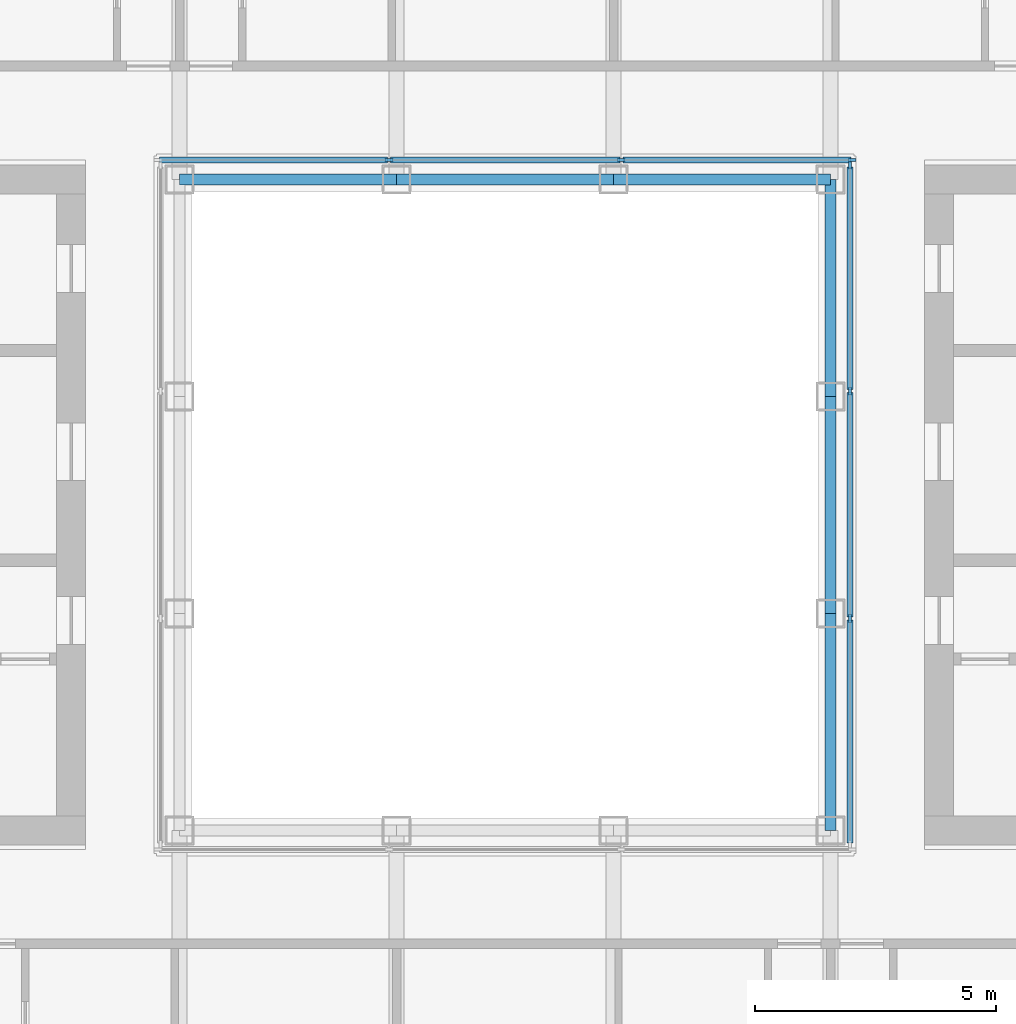
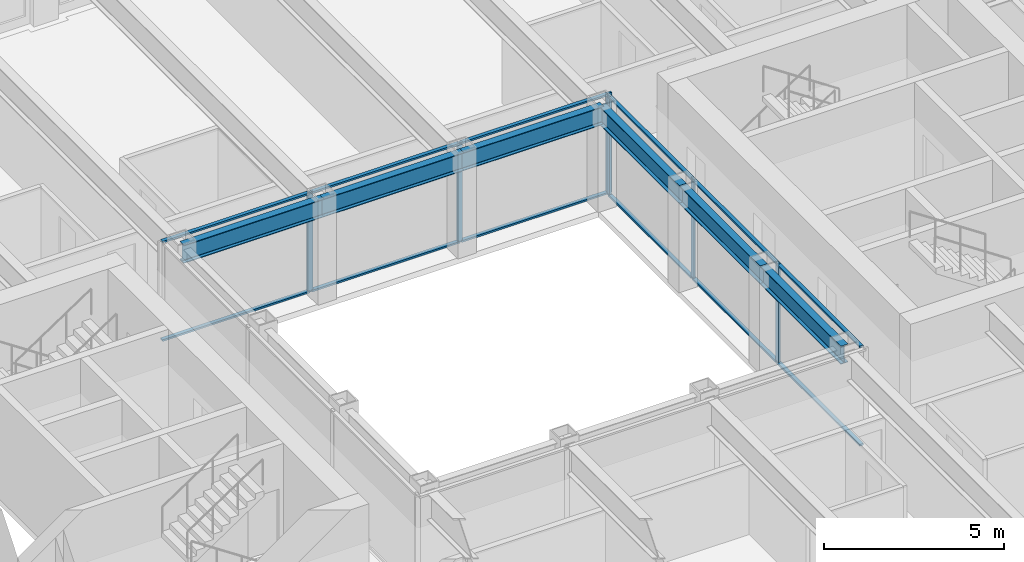
# One storey, part 5 of 17: 18 members, 6 beams, 2 elements without a shape of their own.
"""IFC4 building model written with IfcOpenShell, lengths in metres."""

from ifc_helpers import new_model, si_unit, direction, frame, origin, origin_2d, place, context, subcontext, project, spatial, rectangle, i_section, extrude, material, material_profile, profile_set, type_object, element, aggregate, save


model = new_model("IFC4")

# Units and contexts
model_context = context("Model", 3, precision=1e-05, world=origin(), true_north=direction((0.0, 1.0)))
body_context = subcontext(model_context, "Body", "Model", "MODEL_VIEW")
ifc_project = project(units=[si_unit("LENGTHUNIT", "METRE"), si_unit("AREAUNIT", "SQUARE_METRE"), si_unit("VOLUMEUNIT", "CUBIC_METRE"), si_unit("PLANEANGLEUNIT", "RADIAN"), si_unit("MASSUNIT", "GRAM", prefix="KILO")], contexts=[model_context])

# Site, building, storey
site_placement = place(None, origin())
site = spatial("IfcSite", under=ifc_project, at=site_placement, CompositionType="ELEMENT")
building_placement = place(site_placement, origin())
building = spatial("IfcBuilding", under=site, at=building_placement, Name="Msasa Ring Tower", CompositionType="ELEMENT")
storey_placement = place(building_placement, frame((0.0, 0.0, 136.39990234375)))
storey = spatial("IfcBuildingStorey", under=building, at=storey_placement, Name="L35", CompositionType="ELEMENT", Elevation=136.39990234375)

# Curtain wall, members
ifc_material_1 = material(Name="Aluminium curtain wall with clear glass", Category="aluminium")
curtain_wall_type = type_object("IfcCurtainWallType", Name="CW-W LIGHT WELL CURTAIN WALL", PredefinedType="NOTDEFINED", material=ifc_material_1)
curtain_wall_1_placement = place(storey_placement, origin())
curtain_wall_1 = element("IfcCurtainWall", 1, at=curtain_wall_1_placement, inside=storey, type_object=curtain_wall_type, Name="Light well curtain wall N L35", PredefinedType="NOTDEFINED")
ifc_material_2 = material(Name="Aluminium mullion", Category="aluminium")
ifc_material_profile_1 = material_profile(ifc_material_2, rectangle(XDim=0.06005859375, YDim=0.159912109375, at=origin_2d()), Name="AL 60x160")
ifc_profile_set_1 = profile_set([ifc_material_profile_1], Name="Aluminium mullion")
member_type_1 = type_object("IfcMemberType", Name="CW-W MULLION 60x160", PredefinedType="MULLION", material=ifc_profile_set_1)
member_1_placement = place(storey_placement, frame((-2.409912109375, 7.14990234375, 0.0), z_axis=(0.0, 0.0, 1.0), x_axis=(0.0, 1.0, 0.0)))
member_1 = element("IfcMember", 2, at=member_1_placement, type_object=member_type_1, Name="CW-W mullion 2", PredefinedType="MULLION", context=body_context, shape_type="SweptSolid", body=[
    extrude(rectangle(XDim=0.06005859375, YDim=0.159912109375, at=origin_2d()), origin(), (0.0, 0.0, 1.0), 3.400146484375),
])
member_2_placement = place(storey_placement, frame((2.409912109375, 7.14990234375, 0.0), z_axis=(0.0, 0.0, 1.0), x_axis=(0.0, 1.0, 0.0)))
member_2 = element("IfcMember", 3, at=member_2_placement, type_object=member_type_1, Name="CW-W mullion 3", PredefinedType="MULLION", context=body_context, shape_type="SweptSolid", body=[
    extrude(rectangle(XDim=0.06005859375, YDim=0.159912109375, at=origin_2d()), origin(), (0.0, 0.0, 1.0), 3.400146484375),
])
member_3_placement = place(storey_placement, frame((7.199951171875, 7.14990234375, 0.0), z_axis=(0.0, 0.0, 1.0), x_axis=(0.0, 1.0, 0.0)))
member_3 = element("IfcMember", 4, at=member_3_placement, type_object=member_type_1, Name="CW-W mullion 4", PredefinedType="MULLION", context=body_context, shape_type="SweptSolid", body=[
    extrude(rectangle(XDim=0.06005859375, YDim=0.159912109375, at=origin_2d()), origin(), (0.0, 0.0, 1.0), 3.400146484375),
])

curtain_wall_2_placement = place(storey_placement, origin())
curtain_wall_2 = element("IfcCurtainWall", 5, at=curtain_wall_2_placement, inside=storey, type_object=curtain_wall_type, Name="Light well curtain wall E L35", PredefinedType="NOTDEFINED")
member_4_placement = place(storey_placement, frame((7.14990234375, -2.356689453125, 0.0), z_axis=(0.0, 0.0, 1.0), x_axis=(-1.0, 0.0, 0.0)))
member_4 = element("IfcMember", 6, at=member_4_placement, type_object=member_type_1, Name="CW-W mullion 2", PredefinedType="MULLION", context=body_context, shape_type="SweptSolid", body=[
    extrude(rectangle(XDim=0.06005859375, YDim=0.159912109375, at=origin_2d()), origin(), (0.0, 0.0, 1.0), 3.400146484375),
])
member_5_placement = place(storey_placement, frame((7.14990234375, 2.356689453125, 0.0), z_axis=(0.0, 0.0, 1.0), x_axis=(-1.0, 0.0, 0.0)))
member_5 = element("IfcMember", 7, at=member_5_placement, type_object=member_type_1, Name="CW-W mullion 3", PredefinedType="MULLION", context=body_context, shape_type="SweptSolid", body=[
    extrude(rectangle(XDim=0.06005859375, YDim=0.159912109375, at=origin_2d()), origin(), (0.0, 0.0, 1.0), 3.400146484375),
])
member_6_placement = place(storey_placement, frame((7.14990234375, 7.0400390625, 0.0), z_axis=(0.0, 0.0, 1.0), x_axis=(-1.0, 0.0, 0.0)))
member_6 = element("IfcMember", 8, at=member_6_placement, type_object=member_type_1, Name="CW-W mullion 4", PredefinedType="MULLION", context=body_context, shape_type="SweptSolid", body=[
    extrude(rectangle(XDim=0.06005859375, YDim=0.159912109375, at=origin_2d()), origin(), (0.0, 0.0, 1.0), 3.400146484375),
])

# Member
ifc_material_3 = material(Name="Aluminium transom", Category="aluminium")
ifc_material_profile_2 = material_profile(ifc_material_3, rectangle(XDim=0.1201171875, YDim=0.06005859375, at=origin_2d()), Name="AL 60x120")
ifc_profile_set_2 = profile_set([ifc_material_profile_2], Name="Aluminium transom")
member_type_2 = type_object("IfcMemberType", Name="CW-W TRANSOM 60x120", PredefinedType="USERDEFINED", material=ifc_profile_set_2)
member_7_placement = place(storey_placement, frame((-7.169921875, 7.14990234375, 0.030029296875), z_axis=(1.0, 0.0, 0.0), x_axis=(0.0, 1.0, 0.0)))
member_7 = element("IfcMember", 9, at=member_7_placement, type_object=member_type_2, Name="CW-W transom 1.1", ObjectType="TRANSOM", PredefinedType="USERDEFINED", context=body_context, shape_type="SweptSolid", body=[
    extrude(rectangle(XDim=0.1201171875, YDim=0.06005859375, at=origin_2d()), origin(), (0.0, 0.0, 1.0), 4.72998046875),
])

member_8_placement = place(storey_placement, frame((-7.169921875, 7.14990234375, 3.3701171875), z_axis=(1.0, 0.0, 0.0), x_axis=(0.0, 1.0, 0.0)))
member_8 = element("IfcMember", 10, at=member_8_placement, type_object=member_type_2, Name="CW-W transom 1.2", ObjectType="TRANSOM", PredefinedType="USERDEFINED", context=body_context, shape_type="SweptSolid", body=[
    extrude(rectangle(XDim=0.1201171875, YDim=0.06005859375, at=origin_2d()), origin(), (0.0, 0.0, 1.0), 4.72998046875),
])

member_9_placement = place(storey_placement, frame((-2.3798828125, 7.14990234375, 0.030029296875), z_axis=(1.0, 0.0, 0.0), x_axis=(0.0, 1.0, 0.0)))
member_9 = element("IfcMember", 11, at=member_9_placement, type_object=member_type_2, Name="CW-W transom 2.1", ObjectType="TRANSOM", PredefinedType="USERDEFINED", context=body_context, shape_type="SweptSolid", body=[
    extrude(rectangle(XDim=0.1201171875, YDim=0.06005859375, at=origin_2d()), origin(), (0.0, 0.0, 1.0), 4.759765625),
])

member_10_placement = place(storey_placement, frame((-2.3798828125, 7.14990234375, 3.3701171875), z_axis=(1.0, 0.0, 0.0), x_axis=(0.0, 1.0, 0.0)))
member_10 = element("IfcMember", 12, at=member_10_placement, type_object=member_type_2, Name="CW-W transom 2.2", ObjectType="TRANSOM", PredefinedType="USERDEFINED", context=body_context, shape_type="SweptSolid", body=[
    extrude(rectangle(XDim=0.1201171875, YDim=0.06005859375, at=origin_2d()), origin(), (0.0, 0.0, 1.0), 4.759765625),
])

member_11_placement = place(storey_placement, frame((2.43994140625, 7.14990234375, 0.030029296875), z_axis=(1.0, 0.0, 0.0), x_axis=(0.0, 1.0, 0.0)))
member_11 = element("IfcMember", 13, at=member_11_placement, type_object=member_type_2, Name="CW-W transom 3.1", ObjectType="TRANSOM", PredefinedType="USERDEFINED", context=body_context, shape_type="SweptSolid", body=[
    extrude(rectangle(XDim=0.1201171875, YDim=0.06005859375, at=origin_2d()), origin(), (0.0, 0.0, 1.0), 4.72998046875),
])

member_12_placement = place(storey_placement, frame((2.43994140625, 7.14990234375, 3.3701171875), z_axis=(1.0, 0.0, 0.0), x_axis=(0.0, 1.0, 0.0)))
member_12 = element("IfcMember", 14, at=member_12_placement, type_object=member_type_2, Name="CW-W transom 3.2", ObjectType="TRANSOM", PredefinedType="USERDEFINED", context=body_context, shape_type="SweptSolid", body=[
    extrude(rectangle(XDim=0.1201171875, YDim=0.06005859375, at=origin_2d()), origin(), (0.0, 0.0, 1.0), 4.72998046875),
])

aggregate(curtain_wall_1, [member_1, member_2, member_3, member_7, member_8, member_9, member_10, member_11, member_12])

member_13_placement = place(storey_placement, frame((7.14990234375, -7.010009765625, 0.030029296875), z_axis=(0.0, 1.0, 0.0), x_axis=(-1.0, 0.0, 0.0)))
member_13 = element("IfcMember", 15, at=member_13_placement, type_object=member_type_2, Name="CW-W transom 1.1", ObjectType="TRANSOM", PredefinedType="USERDEFINED", context=body_context, shape_type="SweptSolid", body=[
    extrude(rectangle(XDim=0.1201171875, YDim=0.06005859375, at=origin_2d()), origin(), (0.0, 0.0, 1.0), 4.623291015625),
])

member_14_placement = place(storey_placement, frame((7.14990234375, -7.010009765625, 3.3701171875), z_axis=(0.0, 1.0, 0.0), x_axis=(-1.0, 0.0, 0.0)))
member_14 = element("IfcMember", 16, at=member_14_placement, type_object=member_type_2, Name="CW-W transom 1.2", ObjectType="TRANSOM", PredefinedType="USERDEFINED", context=body_context, shape_type="SweptSolid", body=[
    extrude(rectangle(XDim=0.1201171875, YDim=0.06005859375, at=origin_2d()), origin(), (0.0, 0.0, 1.0), 4.623291015625),
])

member_15_placement = place(storey_placement, frame((7.14990234375, -2.32666015625, 0.030029296875), z_axis=(0.0, 1.0, 0.0), x_axis=(-1.0, 0.0, 0.0)))
member_15 = element("IfcMember", 17, at=member_15_placement, type_object=member_type_2, Name="CW-W transom 2.1", ObjectType="TRANSOM", PredefinedType="USERDEFINED", context=body_context, shape_type="SweptSolid", body=[
    extrude(rectangle(XDim=0.1201171875, YDim=0.06005859375, at=origin_2d()), origin(), (0.0, 0.0, 1.0), 4.6533203125),
])

member_16_placement = place(storey_placement, frame((7.14990234375, -2.32666015625, 3.3701171875), z_axis=(0.0, 1.0, 0.0), x_axis=(-1.0, 0.0, 0.0)))
member_16 = element("IfcMember", 18, at=member_16_placement, type_object=member_type_2, Name="CW-W transom 2.2", ObjectType="TRANSOM", PredefinedType="USERDEFINED", context=body_context, shape_type="SweptSolid", body=[
    extrude(rectangle(XDim=0.1201171875, YDim=0.06005859375, at=origin_2d()), origin(), (0.0, 0.0, 1.0), 4.6533203125),
])

member_17_placement = place(storey_placement, frame((7.14990234375, 2.38671875, 0.030029296875), z_axis=(0.0, 1.0, 0.0), x_axis=(-1.0, 0.0, 0.0)))
member_17 = element("IfcMember", 19, at=member_17_placement, type_object=member_type_2, Name="CW-W transom 3.1", ObjectType="TRANSOM", PredefinedType="USERDEFINED", context=body_context, shape_type="SweptSolid", body=[
    extrude(rectangle(XDim=0.1201171875, YDim=0.06005859375, at=origin_2d()), origin(), (0.0, 0.0, 1.0), 4.623291015625),
])

member_18_placement = place(storey_placement, frame((7.14990234375, 2.38671875, 3.3701171875), z_axis=(0.0, 1.0, 0.0), x_axis=(-1.0, 0.0, 0.0)))
member_18 = element("IfcMember", 20, at=member_18_placement, type_object=member_type_2, Name="CW-W transom 3.2", ObjectType="TRANSOM", PredefinedType="USERDEFINED", context=body_context, shape_type="SweptSolid", body=[
    extrude(rectangle(XDim=0.1201171875, YDim=0.06005859375, at=origin_2d()), origin(), (0.0, 0.0, 1.0), 4.623291015625),
])

aggregate(curtain_wall_2, [member_4, member_5, member_6, member_13, member_14, member_15, member_16, member_17, member_18])

# Beams
ifc_material_4 = material(Name="Steel S355", Category="steel")
ifc_material_profile_3 = material_profile(ifc_material_4, i_section(OverallWidth=0.230224609375, OverallDepth=0.6171875, WebThickness=0.01318359375, FlangeThickness=0.022216796875, FilletRadius=0.0126953125, at=origin_2d()), Name="UB 610x229x140")
ifc_profile_set_3 = profile_set([ifc_material_profile_3], Name="Steel S355")
beam_type = type_object("IfcBeamType", Name="RB1 UB 610x229x140", PredefinedType="BEAM", material=ifc_profile_set_3)
for number, where, z_axis, x_axis, name in (
    (21, (6.75, -6.75, 3.091552734375), (0.0, 1.0, 0.0), (-1.0, 0.0, 0.0), "Inner ring beam IR+6.75-6.75 under L36"),
    (22, (6.75, -2.25, 3.091552734375), (0.0, 1.0, 0.0), (-1.0, 0.0, 0.0), "Inner ring beam IR+6.75-2.25 under L36"),
    (23, (6.75, 2.25, 3.091552734375), (0.0, 1.0, 0.0), (-1.0, 0.0, 0.0), "Inner ring beam IR+6.75+2.25 under L36"),
    (24, (6.75, 6.75, 3.091552734375), (-1.0, 0.0, 0.0), (0.0, -1.0, 0.0), "Inner ring beam IR+6.75+6.75 under L36"),
    (25, (2.25, 6.75, 3.091552734375), (-1.0, 0.0, 0.0), (0.0, -1.0, 0.0), "Inner ring beam IR+2.25+6.75 under L36"),
    (26, (-2.25, 6.75, 3.091552734375), (-1.0, 0.0, 0.0), (0.0, -1.0, 0.0), "Inner ring beam IR-2.25+6.75 under L36"),
):
    element("IfcBeam", number, at=place(storey_placement, frame(where, z_axis=z_axis, x_axis=x_axis)), inside=storey, type_object=beam_type, Name=name, PredefinedType="BEAM", context=body_context, shape_type="SweptSolid", body=[
        extrude(i_section(OverallWidth=0.230224609375, OverallDepth=0.6171875, WebThickness=0.01318359375, FlangeThickness=0.022216796875, FilletRadius=0.0126953125, at=origin_2d()), origin(), (0.0, 0.0, 1.0), 4.5),
    ])

save(model, "model.ifc")
